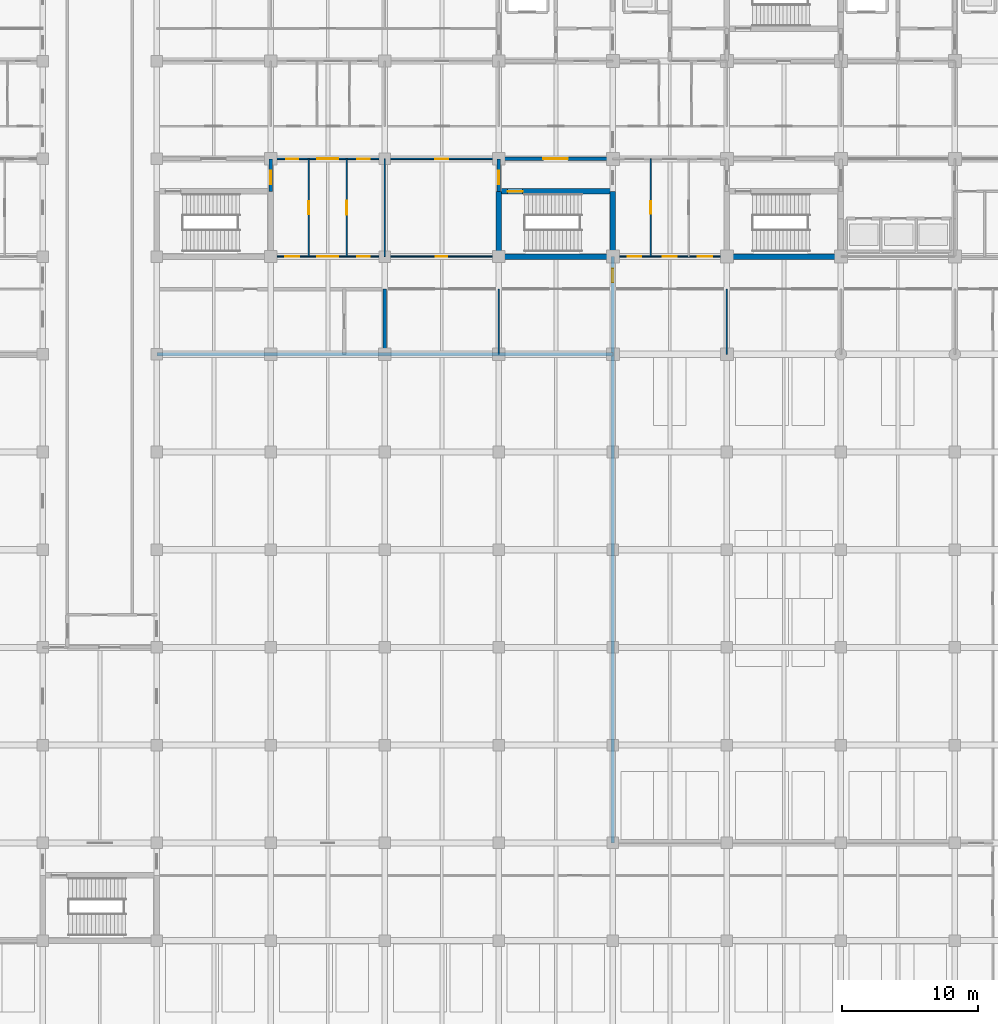
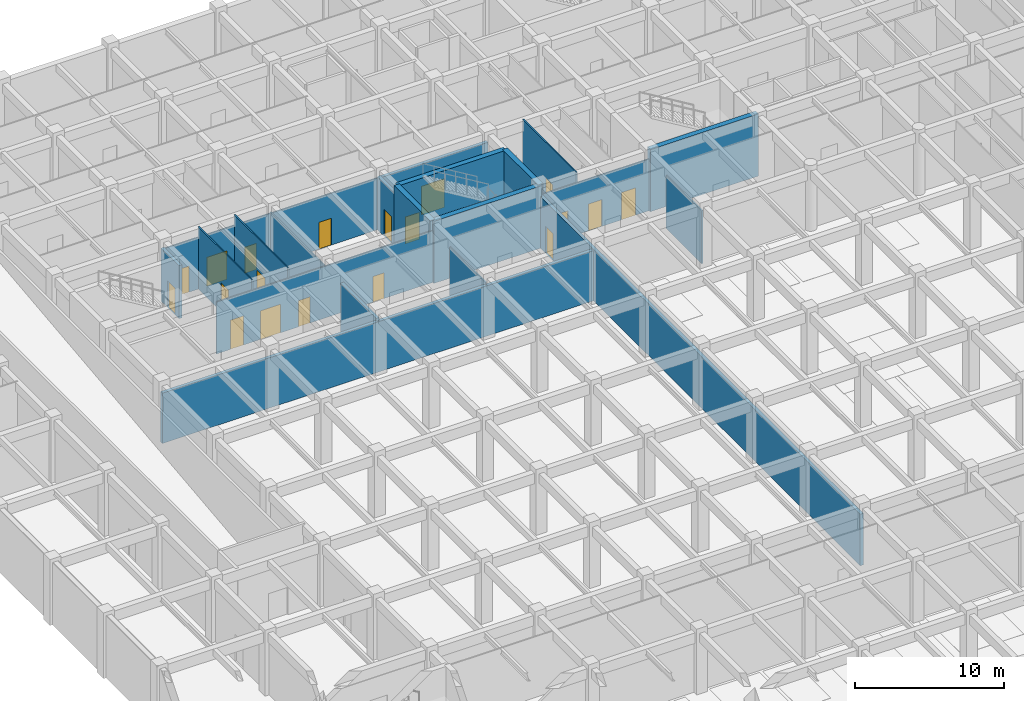
# One storey, part 20 of 48: 20 walls, 19 doors, 19 openings.
"""IFC4 building model written with IfcOpenShell, lengths in metres."""

from ifc_helpers import new_model, si_unit, direction, frame, frame_2d, origin, place, context, subcontext, project, spatial, rectangle, extrude, material, layer, layer_set, type_object, element, fill, save


model = new_model("IFC4")

# Units and contexts
model_context = context("Model", 3, precision=1e-05, world=origin(), true_north=direction((0.0, 1.0)))
body_context = subcontext(model_context, "Body", "Model", "MODEL_VIEW")
ifc_project = project(units=[si_unit("LENGTHUNIT", "METRE"), si_unit("AREAUNIT", "SQUARE_METRE"), si_unit("VOLUMEUNIT", "CUBIC_METRE"), si_unit("PLANEANGLEUNIT", "RADIAN"), si_unit("MASSUNIT", "GRAM", prefix="KILO")], contexts=[model_context])

# Site, building, storey
site_placement = place(None, origin())
site = spatial("IfcSite", under=ifc_project, at=site_placement, CompositionType="ELEMENT")
building_placement = place(site_placement, origin())
building = spatial("IfcBuilding", under=site, at=building_placement, Name="Chengyuan Square Courthouse", CompositionType="ELEMENT")
storey_placement = place(building_placement, frame((0.0, 0.0, -5.39990234375)))
storey = spatial("IfcBuildingStorey", under=building, at=storey_placement, Name="B01", CompositionType="ELEMENT", Elevation=-5.39990234375)

# Wall
ifc_material_1 = material(Name="Concrete C40", Category="concrete")
ifc_layer_1 = layer(ifc_material_1, 0.25)
ifc_layer_set_1 = layer_set([ifc_layer_1], Name="Concrete C40")
wall_type_1 = type_object("IfcWallType", Name="WL-FW1", PredefinedType="STANDARD", material=ifc_layer_set_1)
wall_1_placement = place(storey_placement, frame((16.800048828125, 79.199951171875, 0.0), z_axis=(0.0, 0.0, 1.0), x_axis=(1.0, 0.0, 0.0)))
element("IfcWall", 1, at=wall_1_placement, inside=storey, type_object=wall_type_1, Name="Interior Wall WL-B01-I298", PredefinedType="STANDARD", context=body_context, shape_type="SweptSolid", body=[
    extrude(rectangle(XDim=33.599853515625, YDim=0.25, at=frame_2d((16.7998046875, 0.0))), origin(), (0.0, 0.0, 1.0), 4.1298828125),
])

# Wall, opening, door
wall_2_placement = place(storey_placement, frame((42.0, 93.60009765625, 0.0), z_axis=(0.0, 0.0, 1.0), x_axis=(1.0, 0.0, 0.0)))
wall_2 = element("IfcWall", 2, at=wall_2_placement, inside=storey, type_object=wall_type_1, Name="Interior Wall WL-B01-I339", PredefinedType="STANDARD", context=body_context, shape_type="SweptSolid", body=[
    extrude(rectangle(XDim=8.39990234375, YDim=0.25, at=frame_2d((4.199951171875, 0.0))), origin(), (0.0, 0.0, 1.0), 4.25),
])
opening_1_placement = place(wall_2_placement, frame((3.28759765625, 0.0, 0.0)))
opening_1 = element("IfcOpeningElement", 3, at=opening_1_placement, cuts=wall_2, Name="Opening DR-357", PredefinedType="OPENING", context=body_context, shape_type="SweptSolid", body=[
    extrude(rectangle(XDim=1.800048828125, YDim=2.35009765625, at=frame_2d((0.89990234375, 1.175048828125))), frame((0.0, 0.136962890625, 0.0), z_axis=(0.0, -1.0, 0.0), x_axis=(1.0, 0.0, 0.0)), (0.0, 0.0, 1.0), 0.27392578125),
])
ifc_material_2 = material(Name="Steel Q235B Glazed Fire Door", Category="steel")
door_type_1 = type_object("IfcDoorType", Name="DT-18", OperationType="DOUBLE_DOOR_SINGLE_SWING", PredefinedType="DOOR", material=ifc_material_2)
door_1_placement = place(opening_1_placement, frame((1.800048828125, 0.0, 0.0), z_axis=(0.0, 0.0, 1.0), x_axis=(-1.0, 0.0, 0.0)))
door_1 = element("IfcDoor", 4, at=door_1_placement, inside=storey, type_object=door_type_1, Name="Interior Door DR-357", OperationType="DOUBLE_DOOR_SINGLE_SWING", OverallHeight=2.35009765625, OverallWidth=1.800048828125, PredefinedType="DOOR", context=body_context, shape_type="SweptSolid", body=[
    extrude(rectangle(XDim=1.800048828125, YDim=2.35009765625, at=frame_2d((0.89990234375, 1.175048828125))), frame((0.0, 0.02490234375, 0.0), z_axis=(0.0, -1.0, 0.0), x_axis=(1.0, 0.0, 0.0)), (0.0, 0.0, 1.0), 0.050048828125),
])
fill(opening_1, door_1)

wall_3_placement = place(storey_placement, frame((25.199951171875, 91.199951171875, 0.0), z_axis=(0.0, 0.0, 1.0), x_axis=(0.0, 1.0, 0.0)))
wall_3 = element("IfcWall", 5, at=wall_3_placement, inside=storey, type_object=wall_type_1, Name="Interior Wall WL-B01-I446", PredefinedType="STANDARD", context=body_context, shape_type="SweptSolid", body=[
    extrude(rectangle(XDim=2.400146484375, YDim=0.25, at=frame_2d((1.2001953125, 0.0))), origin(), (0.0, 0.0, 1.0), 4.349853515625),
])
opening_2_placement = place(wall_3_placement, frame((0.514892578125, 0.0, 0.0)))
opening_2 = element("IfcOpeningElement", 6, at=opening_2_placement, cuts=wall_3, Name="Opening DR-370", PredefinedType="OPENING", context=body_context, shape_type="SweptSolid", body=[
    extrude(rectangle(XDim=1.0, YDim=2.199951171875, at=frame_2d((0.5, 1.10009765625))), frame((0.0, 0.136962890625, 0.0), z_axis=(0.0, -1.0, 0.0), x_axis=(1.0, 0.0, 0.0)), (0.0, 0.0, 1.0), 0.27392578125),
])
ifc_material_3 = material(Name="Steel Q235B Fire Door", Category="steel")
door_type_2 = type_object("IfcDoorType", Name="DT-11", OperationType="NOTDEFINED", PredefinedType="DOOR", material=ifc_material_3)
door_2_placement = place(opening_2_placement, origin())
door_2 = element("IfcDoor", 7, at=door_2_placement, inside=storey, type_object=door_type_2, Name="Interior Door DR-370", OperationType="SINGLE_SWING_RIGHT", OverallHeight=2.199951171875, OverallWidth=1.0, PredefinedType="DOOR", context=body_context, shape_type="SweptSolid", body=[
    extrude(rectangle(XDim=1.0, YDim=2.199951171875, at=frame_2d((0.5, 1.10009765625))), frame((0.0, 0.02490234375, 0.0), z_axis=(0.0, -1.0, 0.0), x_axis=(1.0, 0.0, 0.0)), (0.0, 0.0, 1.0), 0.050048828125),
])
fill(opening_2, door_2)

# Wall
wall_4_placement = place(storey_placement, frame((33.60009765625, 79.199951171875, 0.0), z_axis=(0.0, 0.0, 1.0), x_axis=(0.0, 1.0, 0.0)))
element("IfcWall", 8, at=wall_4_placement, inside=storey, type_object=wall_type_1, Name="Interior Wall WL-B01-I455", PredefinedType="STANDARD", context=body_context, shape_type="SweptSolid", body=[
    extrude(rectangle(XDim=4.800048828125, YDim=0.25, at=frame_2d((2.39990234375, 0.0))), origin(), (0.0, 0.0, 1.0), 4.349853515625),
])

# Wall, opening, door
wall_5_placement = place(storey_placement, frame((42.0, 91.199951171875, 0.0), z_axis=(0.0, 0.0, 1.0), x_axis=(0.0, 1.0, 0.0)))
wall_5 = element("IfcWall", 9, at=wall_5_placement, inside=storey, type_object=wall_type_1, Name="Interior Wall WL-B01-I462", PredefinedType="STANDARD", context=body_context, shape_type="SweptSolid", body=[
    extrude(rectangle(XDim=2.400146484375, YDim=0.25, at=frame_2d((1.2001953125, 0.0))), origin(), (0.0, 0.0, 1.0), 4.349853515625),
])
opening_3_placement = place(wall_5_placement, frame((0.514892578125, 0.0, 0.0)))
opening_3 = element("IfcOpeningElement", 10, at=opening_3_placement, cuts=wall_5, Name="Opening DR-358", PredefinedType="OPENING", context=body_context, shape_type="SweptSolid", body=[
    extrude(rectangle(XDim=1.0, YDim=2.199951171875, at=frame_2d((0.5, 1.10009765625))), frame((0.0, 0.136962890625, 0.0), z_axis=(0.0, -1.0, 0.0), x_axis=(1.0, 0.0, 0.0)), (0.0, 0.0, 1.0), 0.27392578125),
])
door_3_placement = place(opening_3_placement, origin())
door_3 = element("IfcDoor", 11, at=door_3_placement, inside=storey, type_object=door_type_2, Name="Interior Door DR-358", OperationType="SINGLE_SWING_RIGHT", OverallHeight=2.199951171875, OverallWidth=1.0, PredefinedType="DOOR", context=body_context, shape_type="SweptSolid", body=[
    extrude(rectangle(XDim=1.0, YDim=2.199951171875, at=frame_2d((0.5, 1.10009765625))), frame((0.0, 0.02490234375, 0.0), z_axis=(0.0, -1.0, 0.0), x_axis=(1.0, 0.0, 0.0)), (0.0, 0.0, 1.0), 0.050048828125),
])
fill(opening_3, door_3)

wall_6_placement = place(storey_placement, frame((50.39990234375, 43.199951171875, 0.0), z_axis=(0.0, 0.0, 1.0), x_axis=(0.0, 1.0, 0.0)))
wall_6 = element("IfcWall", 12, at=wall_6_placement, inside=storey, type_object=wall_type_1, Name="Interior Wall WL-B01-I471", PredefinedType="STANDARD", context=body_context, shape_type="SweptSolid", body=[
    extrude(rectangle(XDim=43.199951171875, YDim=0.25, at=frame_2d((21.60009765625, 0.0))), origin(), (0.0, 0.0, 1.0), 4.22998046875),
])
opening_4_placement = place(wall_6_placement, frame((41.302490234375, 0.0, 0.0)))
opening_4 = element("IfcOpeningElement", 13, at=opening_4_placement, cuts=wall_6, Name="Opening DR-616", PredefinedType="OPENING", context=body_context, shape_type="SweptSolid", body=[
    extrude(rectangle(XDim=1.0, YDim=2.199951171875, at=frame_2d((0.5, 1.10009765625))), frame((0.0, 0.136962890625, 0.0), z_axis=(0.0, -1.0, 0.0), x_axis=(1.0, 0.0, 0.0)), (0.0, 0.0, 1.0), 0.27392578125),
])
door_4_placement = place(opening_4_placement, origin())
door_4 = element("IfcDoor", 14, at=door_4_placement, inside=storey, type_object=door_type_2, Name="Interior Door DR-616", OperationType="SINGLE_SWING_LEFT", OverallHeight=2.199951171875, OverallWidth=1.0, PredefinedType="DOOR", context=body_context, shape_type="SweptSolid", body=[
    extrude(rectangle(XDim=1.0, YDim=2.199951171875, at=frame_2d((0.5, 1.10009765625))), frame((0.0, 0.02490234375, 0.0), z_axis=(0.0, -1.0, 0.0), x_axis=(1.0, 0.0, 0.0)), (0.0, 0.0, 1.0), 0.050048828125),
])
fill(opening_4, door_4)

# Wall, openings, doors
ifc_material_4 = material(Name="Gypsum Plasterboard Acoustic Stud Partition")
ifc_layer_2 = layer(ifc_material_4, 0.10009765625)
ifc_layer_set_2 = layer_set([ifc_layer_2], Name="Gypsum Plasterboard Acoustic Stud Partition")
wall_type_2 = type_object("IfcWallType", Name="WL-PT6", PredefinedType="STANDARD", material=ifc_layer_set_2)
wall_7_placement = place(storey_placement, frame((25.199951171875, 86.39990234375, 0.0), z_axis=(0.0, 0.0, 1.0), x_axis=(1.0, 0.0, 0.0)))
wall_7 = element("IfcWall", 15, at=wall_7_placement, inside=storey, type_object=wall_type_2, Name="Interior Wall WL-B01-I307", PredefinedType="STANDARD", context=body_context, shape_type="SweptSolid", body=[
    extrude(rectangle(XDim=16.800048828125, YDim=0.10009765625, at=frame_2d((8.39990234375, 0.0))), origin(), (0.0, 0.0, 1.0), 4.25),
])
opening_5_placement = place(wall_7_placement, frame((1.074951171875, 0.0, 0.0)))
opening_5 = element("IfcOpeningElement", 16, at=opening_5_placement, cuts=wall_7, Name="Opening DR-558", PredefinedType="OPENING", context=body_context, shape_type="SweptSolid", body=[
    extrude(rectangle(XDim=1.02001953125, YDim=2.39990234375, at=frame_2d((0.510009765625, 1.199951171875))), frame((0.0, 0.06201171875, 0.0), z_axis=(0.0, -1.0, 0.0), x_axis=(1.0, 0.0, 0.0)), (0.0, 0.0, 1.0), 0.1240234375),
])
opening_6_placement = place(wall_7_placement, frame((3.425048828125, 0.0, 0.0)))
opening_6 = element("IfcOpeningElement", 17, at=opening_6_placement, cuts=wall_7, Name="Opening DR-560", PredefinedType="OPENING", context=body_context, shape_type="SweptSolid", body=[
    extrude(rectangle(XDim=1.550048828125, YDim=2.35009765625, at=frame_2d((0.77490234375, 1.175048828125))), frame((0.0, 0.06201171875, 0.0), z_axis=(0.0, -1.0, 0.0), x_axis=(1.0, 0.0, 0.0)), (0.0, 0.0, 1.0), 0.1240234375),
])
opening_7_placement = place(wall_7_placement, frame((6.37744140625, 0.0, 0.0)))
opening_7 = element("IfcOpeningElement", 18, at=opening_7_placement, cuts=wall_7, Name="Opening DR-561", PredefinedType="OPENING", context=body_context, shape_type="SweptSolid", body=[
    extrude(rectangle(XDim=0.89990234375, YDim=2.14990234375, at=frame_2d((0.449951171875, 1.074951171875))), frame((0.0, 0.06201171875, 0.0), z_axis=(0.0, -1.0, 0.0), x_axis=(1.0, 0.0, 0.0)), (0.0, 0.0, 1.0), 0.1240234375),
])
opening_8_placement = place(wall_7_placement, frame((12.157470703125, 0.0, 0.0)))
opening_8 = element("IfcOpeningElement", 19, at=opening_8_placement, cuts=wall_7, Name="Opening DR-562", PredefinedType="OPENING", context=body_context, shape_type="SweptSolid", body=[
    extrude(rectangle(XDim=0.860107421875, YDim=2.10009765625, at=frame_2d((0.43017578125, 1.050048828125))), frame((0.0, 0.06201171875, 0.0), z_axis=(0.0, -1.0, 0.0), x_axis=(1.0, 0.0, 0.0)), (0.0, 0.0, 1.0), 0.1240234375),
])
ifc_material_5 = material(Name="Acoustic Larch Veneer Double Door")
door_type_3 = type_object("IfcDoorType", Name="DT-23", OperationType="DOUBLE_DOOR_SINGLE_SWING", PredefinedType="DOOR", material=ifc_material_5)
door_5_placement = place(opening_6_placement, frame((1.550048828125, 0.0, 0.0), z_axis=(0.0, 0.0, 1.0), x_axis=(-1.0, 0.0, 0.0)))
door_5 = element("IfcDoor", 20, at=door_5_placement, inside=storey, type_object=door_type_3, Name="Interior Door DR-560", OperationType="DOUBLE_DOOR_SINGLE_SWING", OverallHeight=2.35009765625, OverallWidth=1.550048828125, PredefinedType="DOOR", context=body_context, shape_type="SweptSolid", body=[
    extrude(rectangle(XDim=1.550048828125, YDim=2.35009765625, at=frame_2d((0.77490234375, 1.175048828125))), frame((0.0, 0.02490234375, 0.0), z_axis=(0.0, -1.0, 0.0), x_axis=(1.0, 0.0, 0.0)), (0.0, 0.0, 1.0), 0.050048828125),
])
fill(opening_6, door_5)
ifc_material_6 = material(Name="Acoustic Solid-Core Timber Door", Category="wood")
door_type_4 = type_object("IfcDoorType", Name="DT-27", OperationType="NOTDEFINED", PredefinedType="DOOR", material=ifc_material_6)
door_6_placement = place(opening_7_placement, origin())
door_6 = element("IfcDoor", 21, at=door_6_placement, inside=storey, type_object=door_type_4, Name="Interior Door DR-561", OperationType="SINGLE_SWING_RIGHT", OverallHeight=2.14990234375, OverallWidth=0.89990234375, PredefinedType="DOOR", context=body_context, shape_type="SweptSolid", body=[
    extrude(rectangle(XDim=0.89990234375, YDim=2.14990234375, at=frame_2d((0.449951171875, 1.074951171875))), frame((0.0, 0.02490234375, 0.0), z_axis=(0.0, -1.0, 0.0), x_axis=(1.0, 0.0, 0.0)), (0.0, 0.0, 1.0), 0.050048828125),
])
fill(opening_7, door_6)
door_type_5 = type_object("IfcDoorType", Name="DT-28", OperationType="NOTDEFINED", PredefinedType="DOOR", material=ifc_material_6)
door_7_placement = place(opening_8_placement, origin())
door_7 = element("IfcDoor", 22, at=door_7_placement, inside=storey, type_object=door_type_5, Name="Interior Door DR-562", OperationType="SINGLE_SWING_LEFT", OverallHeight=2.10009765625, OverallWidth=0.860107421875, PredefinedType="DOOR", context=body_context, shape_type="SweptSolid", body=[
    extrude(rectangle(XDim=0.860107421875, YDim=2.10009765625, at=frame_2d((0.43017578125, 1.050048828125))), frame((0.0, 0.02490234375, 0.0), z_axis=(0.0, -1.0, 0.0), x_axis=(1.0, 0.0, 0.0)), (0.0, 0.0, 1.0), 0.050048828125),
])
fill(opening_8, door_7)
door_type_6 = type_object("IfcDoorType", Name="DT-41", OperationType="NOTDEFINED", PredefinedType="DOOR", material=ifc_material_6)
door_8_placement = place(opening_5_placement, origin())
door_8 = element("IfcDoor", 23, at=door_8_placement, inside=storey, type_object=door_type_6, Name="Interior Door DR-558", OperationType="SINGLE_SWING_RIGHT", OverallHeight=2.39990234375, OverallWidth=1.02001953125, PredefinedType="DOOR", context=body_context, shape_type="SweptSolid", body=[
    extrude(rectangle(XDim=1.02001953125, YDim=2.39990234375, at=frame_2d((0.510009765625, 1.199951171875))), frame((0.0, 0.02490234375, 0.0), z_axis=(0.0, -1.0, 0.0), x_axis=(1.0, 0.0, 0.0)), (0.0, 0.0, 1.0), 0.050048828125),
])
fill(opening_5, door_8)

wall_8_placement = place(storey_placement, frame((50.39990234375, 86.39990234375, 0.0), z_axis=(0.0, 0.0, 1.0), x_axis=(1.0, 0.0, 0.0)))
wall_8 = element("IfcWall", 24, at=wall_8_placement, inside=storey, type_object=wall_type_2, Name="Interior Wall WL-B01-I309", PredefinedType="STANDARD", context=body_context, shape_type="SweptSolid", body=[
    extrude(rectangle(XDim=8.400146484375, YDim=0.10009765625, at=frame_2d((4.2001953125, 0.0))), origin(), (0.0, 0.0, 1.0), 4.25),
])
opening_9_placement = place(wall_8_placement, frame((1.117431640625, 0.0, 0.0)))
opening_9 = element("IfcOpeningElement", 25, at=opening_9_placement, cuts=wall_8, Name="Opening DR-564", PredefinedType="OPENING", context=body_context, shape_type="SweptSolid", body=[
    extrude(rectangle(XDim=0.9599609375, YDim=2.199951171875, at=frame_2d((0.47998046875, 1.10009765625))), frame((0.0, 0.06201171875, 0.0), z_axis=(0.0, -1.0, 0.0), x_axis=(1.0, 0.0, 0.0)), (0.0, 0.0, 1.0), 0.1240234375),
])
opening_10_placement = place(wall_8_placement, frame((3.679931640625, 0.0, 0.0)))
opening_10 = element("IfcOpeningElement", 26, at=opening_10_placement, cuts=wall_8, Name="Opening DR-566", PredefinedType="OPENING", context=body_context, shape_type="SweptSolid", body=[
    extrude(rectangle(XDim=1.0400390625, YDim=2.199951171875, at=frame_2d((0.52001953125, 1.10009765625))), frame((0.0, 0.06201171875, 0.0), z_axis=(0.0, -1.0, 0.0), x_axis=(1.0, 0.0, 0.0)), (0.0, 0.0, 1.0), 0.1240234375),
])
opening_11_placement = place(wall_8_placement, frame((6.262451171875, 0.0, 0.0)))
opening_11 = element("IfcOpeningElement", 27, at=opening_11_placement, cuts=wall_8, Name="Opening DR-567", PredefinedType="OPENING", context=body_context, shape_type="SweptSolid", body=[
    extrude(rectangle(XDim=1.080078125, YDim=2.25, at=frame_2d((0.5400390625, 1.125))), frame((0.0, 0.06201171875, 0.0), z_axis=(0.0, -1.0, 0.0), x_axis=(1.0, 0.0, 0.0)), (0.0, 0.0, 1.0), 0.1240234375),
])
door_type_7 = type_object("IfcDoorType", Name="DT-30", OperationType="NOTDEFINED", PredefinedType="DOOR", material=ifc_material_6)
door_9_placement = place(opening_9_placement, origin())
door_9 = element("IfcDoor", 28, at=door_9_placement, inside=storey, type_object=door_type_7, Name="Interior Door DR-564", OperationType="SINGLE_SWING_LEFT", OverallHeight=2.199951171875, OverallWidth=0.9599609375, PredefinedType="DOOR", context=body_context, shape_type="SweptSolid", body=[
    extrude(rectangle(XDim=0.9599609375, YDim=2.199951171875, at=frame_2d((0.47998046875, 1.10009765625))), frame((0.0, 0.02490234375, 0.0), z_axis=(0.0, -1.0, 0.0), x_axis=(1.0, 0.0, 0.0)), (0.0, 0.0, 1.0), 0.050048828125),
])
fill(opening_9, door_9)
door_type_8 = type_object("IfcDoorType", Name="DT-32", OperationType="NOTDEFINED", PredefinedType="DOOR", material=ifc_material_6)
door_10_placement = place(opening_10_placement, origin())
door_10 = element("IfcDoor", 29, at=door_10_placement, inside=storey, type_object=door_type_8, Name="Interior Door DR-566", OperationType="SINGLE_SWING_LEFT", OverallHeight=2.199951171875, OverallWidth=1.0400390625, PredefinedType="DOOR", context=body_context, shape_type="SweptSolid", body=[
    extrude(rectangle(XDim=1.0400390625, YDim=2.199951171875, at=frame_2d((0.52001953125, 1.10009765625))), frame((0.0, 0.02490234375, 0.0), z_axis=(0.0, -1.0, 0.0), x_axis=(1.0, 0.0, 0.0)), (0.0, 0.0, 1.0), 0.050048828125),
])
fill(opening_10, door_10)
door_type_9 = type_object("IfcDoorType", Name="DT-33", OperationType="NOTDEFINED", PredefinedType="DOOR", material=ifc_material_6)
door_11_placement = place(opening_11_placement, origin())
door_11 = element("IfcDoor", 30, at=door_11_placement, inside=storey, type_object=door_type_9, Name="Interior Door DR-567", OperationType="SINGLE_SWING_RIGHT", OverallHeight=2.25, OverallWidth=1.080078125, PredefinedType="DOOR", context=body_context, shape_type="SweptSolid", body=[
    extrude(rectangle(XDim=1.080078125, YDim=2.25, at=frame_2d((0.5400390625, 1.125))), frame((0.0, 0.02490234375, 0.0), z_axis=(0.0, -1.0, 0.0), x_axis=(1.0, 0.0, 0.0)), (0.0, 0.0, 1.0), 0.050048828125),
])
fill(opening_11, door_11)

wall_9_placement = place(storey_placement, frame((25.199951171875, 93.60009765625, 0.0), z_axis=(0.0, 0.0, 1.0), x_axis=(1.0, 0.0, 0.0)))
wall_9 = element("IfcWall", 31, at=wall_9_placement, inside=storey, type_object=wall_type_2, Name="Interior Wall WL-B01-I338", PredefinedType="STANDARD", context=body_context, shape_type="SweptSolid", body=[
    extrude(rectangle(XDim=16.800048828125, YDim=0.10009765625, at=frame_2d((8.39990234375, 0.0))), origin(), (0.0, 0.0, 1.0), 4.25),
])
opening_12_placement = place(wall_9_placement, frame((1.135009765625, 0.0, 0.0)))
opening_12 = element("IfcOpeningElement", 32, at=opening_12_placement, cuts=wall_9, Name="Opening DR-493", PredefinedType="OPENING", context=body_context, shape_type="SweptSolid", body=[
    extrude(rectangle(XDim=0.89990234375, YDim=2.14990234375, at=frame_2d((0.449951171875, 1.074951171875))), frame((0.0, 0.06201171875, 0.0), z_axis=(0.0, -1.0, 0.0), x_axis=(1.0, 0.0, 0.0)), (0.0, 0.0, 1.0), 0.1240234375),
])
opening_13_placement = place(wall_9_placement, frame((3.425048828125, 0.0, 0.0)))
opening_13 = element("IfcOpeningElement", 33, at=opening_13_placement, cuts=wall_9, Name="Opening DR-494", PredefinedType="OPENING", context=body_context, shape_type="SweptSolid", body=[
    extrude(rectangle(XDim=1.550048828125, YDim=2.35009765625, at=frame_2d((0.77490234375, 1.175048828125))), frame((0.0, 0.06201171875, 0.0), z_axis=(0.0, -1.0, 0.0), x_axis=(1.0, 0.0, 0.0)), (0.0, 0.0, 1.0), 0.1240234375),
])
opening_14_placement = place(wall_9_placement, frame((6.367431640625, 0.0, 0.0)))
opening_14 = element("IfcOpeningElement", 34, at=opening_14_placement, cuts=wall_9, Name="Opening DR-495", PredefinedType="OPENING", context=body_context, shape_type="SweptSolid", body=[
    extrude(rectangle(XDim=0.919921875, YDim=2.14990234375, at=frame_2d((0.4599609375, 1.074951171875))), frame((0.0, 0.06201171875, 0.0), z_axis=(0.0, -1.0, 0.0), x_axis=(1.0, 0.0, 0.0)), (0.0, 0.0, 1.0), 0.1240234375),
])
opening_15_placement = place(wall_9_placement, frame((12.107421875, 0.0, 0.0)))
opening_15 = element("IfcOpeningElement", 35, at=opening_15_placement, cuts=wall_9, Name="Opening DR-496", PredefinedType="OPENING", context=body_context, shape_type="SweptSolid", body=[
    extrude(rectangle(XDim=0.9599609375, YDim=2.199951171875, at=frame_2d((0.47998046875, 1.10009765625))), frame((0.0, 0.06201171875, 0.0), z_axis=(0.0, -1.0, 0.0), x_axis=(1.0, 0.0, 0.0)), (0.0, 0.0, 1.0), 0.1240234375),
])
door_12_placement = place(opening_13_placement, frame((1.550048828125, 0.0, 0.0), z_axis=(0.0, 0.0, 1.0), x_axis=(-1.0, 0.0, 0.0)))
door_12 = element("IfcDoor", 36, at=door_12_placement, inside=storey, type_object=door_type_3, Name="Interior Door DR-494", OperationType="DOUBLE_DOOR_SINGLE_SWING", OverallHeight=2.35009765625, OverallWidth=1.550048828125, PredefinedType="DOOR", context=body_context, shape_type="SweptSolid", body=[
    extrude(rectangle(XDim=1.550048828125, YDim=2.35009765625, at=frame_2d((0.77490234375, 1.175048828125))), frame((0.0, 0.02490234375, 0.0), z_axis=(0.0, -1.0, 0.0), x_axis=(1.0, 0.0, 0.0)), (0.0, 0.0, 1.0), 0.050048828125),
])
fill(opening_13, door_12)
door_13_placement = place(opening_12_placement, origin())
door_13 = element("IfcDoor", 37, at=door_13_placement, inside=storey, type_object=door_type_4, Name="Interior Door DR-493", OperationType="SINGLE_SWING_RIGHT", OverallHeight=2.14990234375, OverallWidth=0.89990234375, PredefinedType="DOOR", context=body_context, shape_type="SweptSolid", body=[
    extrude(rectangle(XDim=0.89990234375, YDim=2.14990234375, at=frame_2d((0.449951171875, 1.074951171875))), frame((0.0, 0.02490234375, 0.0), z_axis=(0.0, -1.0, 0.0), x_axis=(1.0, 0.0, 0.0)), (0.0, 0.0, 1.0), 0.050048828125),
])
fill(opening_12, door_13)
door_type_10 = type_object("IfcDoorType", Name="DT-29", OperationType="NOTDEFINED", PredefinedType="DOOR", material=ifc_material_6)
door_14_placement = place(opening_14_placement, origin())
door_14 = element("IfcDoor", 38, at=door_14_placement, inside=storey, type_object=door_type_10, Name="Interior Door DR-495", OperationType="SINGLE_SWING_LEFT", OverallHeight=2.14990234375, OverallWidth=0.919921875, PredefinedType="DOOR", context=body_context, shape_type="SweptSolid", body=[
    extrude(rectangle(XDim=0.919921875, YDim=2.14990234375, at=frame_2d((0.4599609375, 1.074951171875))), frame((0.0, 0.02490234375, 0.0), z_axis=(0.0, -1.0, 0.0), x_axis=(1.0, 0.0, 0.0)), (0.0, 0.0, 1.0), 0.050048828125),
])
fill(opening_14, door_14)
door_15_placement = place(opening_15_placement, origin())
door_15 = element("IfcDoor", 39, at=door_15_placement, inside=storey, type_object=door_type_7, Name="Interior Door DR-496", OperationType="SINGLE_SWING_RIGHT", OverallHeight=2.199951171875, OverallWidth=0.9599609375, PredefinedType="DOOR", context=body_context, shape_type="SweptSolid", body=[
    extrude(rectangle(XDim=0.9599609375, YDim=2.199951171875, at=frame_2d((0.47998046875, 1.10009765625))), frame((0.0, 0.02490234375, 0.0), z_axis=(0.0, -1.0, 0.0), x_axis=(1.0, 0.0, 0.0)), (0.0, 0.0, 1.0), 0.050048828125),
])
fill(opening_15, door_15)

# Wall, opening, door
wall_10_placement = place(storey_placement, frame((28.0, 86.39990234375, 0.0), z_axis=(0.0, 0.0, 1.0), x_axis=(0.0, 1.0, 0.0)))
wall_10 = element("IfcWall", 40, at=wall_10_placement, inside=storey, type_object=wall_type_2, Name="Interior Wall WL-B01-I450", PredefinedType="STANDARD", context=body_context, shape_type="SweptSolid", body=[
    extrude(rectangle(XDim=7.2001953125, YDim=0.10009765625, at=frame_2d((3.60009765625, 0.0))), origin(), (0.0, 0.0, 1.0), 5.099853515625),
])
opening_16_placement = place(wall_10_placement, frame((3.110107421875, 0.0, 0.0)))
opening_16 = element("IfcOpeningElement", 41, at=opening_16_placement, cuts=wall_10, Name="Opening DR-557", PredefinedType="OPENING", context=body_context, shape_type="SweptSolid", body=[
    extrude(rectangle(XDim=0.97998046875, YDim=2.35009765625, at=frame_2d((0.489990234375, 1.175048828125))), frame((0.0, 0.06201171875, 0.0), z_axis=(0.0, -1.0, 0.0), x_axis=(1.0, 0.0, 0.0)), (0.0, 0.0, 1.0), 0.1240234375),
])
door_type_11 = type_object("IfcDoorType", Name="DT-40", OperationType="NOTDEFINED", PredefinedType="DOOR", material=ifc_material_6)
door_16_placement = place(opening_16_placement, origin())
door_16 = element("IfcDoor", 42, at=door_16_placement, inside=storey, type_object=door_type_11, Name="Interior Door DR-557", OperationType="SINGLE_SWING_LEFT", OverallHeight=2.35009765625, OverallWidth=0.97998046875, PredefinedType="DOOR", context=body_context, shape_type="SweptSolid", body=[
    extrude(rectangle(XDim=0.97998046875, YDim=2.35009765625, at=frame_2d((0.489990234375, 1.175048828125))), frame((0.0, 0.02490234375, 0.0), z_axis=(0.0, -1.0, 0.0), x_axis=(1.0, 0.0, 0.0)), (0.0, 0.0, 1.0), 0.050048828125),
])
fill(opening_16, door_16)

wall_11_placement = place(storey_placement, frame((30.800048828125, 86.39990234375, 0.0), z_axis=(0.0, 0.0, 1.0), x_axis=(0.0, 1.0, 0.0)))
wall_11 = element("IfcWall", 43, at=wall_11_placement, inside=storey, type_object=wall_type_2, Name="Interior Wall WL-B01-I453", PredefinedType="STANDARD", context=body_context, shape_type="SweptSolid", body=[
    extrude(rectangle(XDim=7.2001953125, YDim=0.10009765625, at=frame_2d((3.60009765625, 0.0))), origin(), (0.0, 0.0, 1.0), 5.099853515625),
])
opening_17_placement = place(wall_11_placement, frame((3.070068359375, 0.0, 0.0)))
opening_17 = element("IfcOpeningElement", 44, at=opening_17_placement, cuts=wall_11, Name="Opening DR-559", PredefinedType="OPENING", context=body_context, shape_type="SweptSolid", body=[
    extrude(rectangle(XDim=1.06005859375, YDim=2.39990234375, at=frame_2d((0.530029296875, 1.199951171875))), frame((0.0, 0.06201171875, 0.0), z_axis=(0.0, -1.0, 0.0), x_axis=(1.0, 0.0, 0.0)), (0.0, 0.0, 1.0), 0.1240234375),
])
door_type_12 = type_object("IfcDoorType", Name="DT-42", OperationType="NOTDEFINED", PredefinedType="DOOR", material=ifc_material_6)
door_17_placement = place(opening_17_placement, origin())
door_17 = element("IfcDoor", 45, at=door_17_placement, inside=storey, type_object=door_type_12, Name="Interior Door DR-559", OperationType="SINGLE_SWING_LEFT", OverallHeight=2.39990234375, OverallWidth=1.06005859375, PredefinedType="DOOR", context=body_context, shape_type="SweptSolid", body=[
    extrude(rectangle(XDim=1.06005859375, YDim=2.39990234375, at=frame_2d((0.530029296875, 1.199951171875))), frame((0.0, 0.02490234375, 0.0), z_axis=(0.0, -1.0, 0.0), x_axis=(1.0, 0.0, 0.0)), (0.0, 0.0, 1.0), 0.050048828125),
])
fill(opening_17, door_17)

# Walls
wall_12_placement = place(storey_placement, frame((33.60009765625, 86.39990234375, 0.0), z_axis=(0.0, 0.0, 1.0), x_axis=(0.0, 1.0, 0.0)))
element("IfcWall", 46, at=wall_12_placement, inside=storey, type_object=wall_type_2, Name="Interior Wall WL-B01-I456", PredefinedType="STANDARD", context=body_context, shape_type="SweptSolid", body=[
    extrude(rectangle(XDim=7.2001953125, YDim=0.10009765625, at=frame_2d((3.60009765625, 0.0))), origin(), (0.0, 0.0, 1.0), 4.349853515625),
])
wall_13_placement = place(storey_placement, frame((42.0, 79.199951171875, 0.0), z_axis=(0.0, 0.0, 1.0), x_axis=(0.0, 1.0, 0.0)))
element("IfcWall", 47, at=wall_13_placement, inside=storey, type_object=wall_type_2, Name="Interior Wall WL-B01-I460", PredefinedType="STANDARD", context=body_context, shape_type="SweptSolid", body=[
    extrude(rectangle(XDim=4.800048828125, YDim=0.10009765625, at=frame_2d((2.39990234375, 0.0))), origin(), (0.0, 0.0, 1.0), 4.349853515625),
])

# Wall, opening, door
wall_14_placement = place(storey_placement, frame((53.199951171875, 86.39990234375, 0.0), z_axis=(0.0, 0.0, 1.0), x_axis=(0.0, 1.0, 0.0)))
wall_14 = element("IfcWall", 48, at=wall_14_placement, inside=storey, type_object=wall_type_2, Name="Interior Wall WL-B01-I477", PredefinedType="STANDARD", context=body_context, shape_type="SweptSolid", body=[
    extrude(rectangle(XDim=7.2001953125, YDim=0.10009765625, at=frame_2d((3.60009765625, 0.0))), origin(), (0.0, 0.0, 1.0), 5.099853515625),
])
opening_18_placement = place(wall_14_placement, frame((3.139892578125, 0.0, 0.0)))
opening_18 = element("IfcOpeningElement", 49, at=opening_18_placement, cuts=wall_14, Name="Opening DR-563", PredefinedType="OPENING", context=body_context, shape_type="SweptSolid", body=[
    extrude(rectangle(XDim=0.919921875, YDim=2.14990234375, at=frame_2d((0.4599609375, 1.074951171875))), frame((0.0, 0.06201171875, 0.0), z_axis=(0.0, -1.0, 0.0), x_axis=(1.0, 0.0, 0.0)), (0.0, 0.0, 1.0), 0.1240234375),
])
door_18_placement = place(opening_18_placement, origin())
door_18 = element("IfcDoor", 50, at=door_18_placement, inside=storey, type_object=door_type_10, Name="Interior Door DR-563", OperationType="SINGLE_SWING_RIGHT", OverallHeight=2.14990234375, OverallWidth=0.919921875, PredefinedType="DOOR", context=body_context, shape_type="SweptSolid", body=[
    extrude(rectangle(XDim=0.919921875, YDim=2.14990234375, at=frame_2d((0.4599609375, 1.074951171875))), frame((0.0, 0.02490234375, 0.0), z_axis=(0.0, -1.0, 0.0), x_axis=(1.0, 0.0, 0.0)), (0.0, 0.0, 1.0), 0.050048828125),
])
fill(opening_18, door_18)

# Walls
wall_15_placement = place(storey_placement, frame((58.800048828125, 79.199951171875, 0.0), z_axis=(0.0, 0.0, 1.0), x_axis=(0.0, 1.0, 0.0)))
element("IfcWall", 51, at=wall_15_placement, inside=storey, type_object=wall_type_2, Name="Interior Wall WL-B01-I484", PredefinedType="STANDARD", context=body_context, shape_type="SweptSolid", body=[
    extrude(rectangle(XDim=4.800048828125, YDim=0.10009765625, at=frame_2d((2.39990234375, 0.0))), origin(), (0.0, 0.0, 1.0), 4.349853515625),
])
ifc_material_7 = material(Name="Concrete C50", Category="concrete")
ifc_layer_3 = layer(ifc_material_7, 0.39990234375)
ifc_layer_set_3 = layer_set([ifc_layer_3], Name="Concrete C50")
wall_type_3 = type_object("IfcWallType", Name="WL-SW1", PredefinedType="SHEAR", material=ifc_layer_set_3)
for number, where, z_axis, x_axis, name in (
    (52, (42.0, 86.39990234375, 0.0), (0.0, 0.0, 1.0), (1.0, 0.0, 0.0), "Interior Wall WL-B01-I308"),
    (53, (58.800048828125, 86.39990234375, 0.0), (0.0, 0.0, 1.0), (1.0, 0.0, 0.0), "Interior Wall WL-B01-I310"),
):
    element("IfcWall", number, at=place(storey_placement, frame(where, z_axis=z_axis, x_axis=x_axis)), inside=storey, type_object=wall_type_3, Name=name, PredefinedType="SHEAR", context=body_context, shape_type="SweptSolid", body=[
        extrude(rectangle(XDim=8.39990234375, YDim=0.39990234375, at=frame_2d((4.199951171875, 0.0))), origin(), (0.0, 0.0, 1.0), 5.099853515625),
    ])

# Wall, opening, door
wall_16_placement = place(storey_placement, frame((42.0, 91.199951171875, 0.0), z_axis=(0.0, 0.0, 1.0), x_axis=(1.0, 0.0, 0.0)))
wall_16 = element("IfcWall", 54, at=wall_16_placement, inside=storey, type_object=wall_type_3, Name="Interior Wall WL-B01-I330", PredefinedType="SHEAR", context=body_context, shape_type="SweptSolid", body=[
    extrude(rectangle(XDim=8.39990234375, YDim=0.39990234375, at=frame_2d((4.199951171875, 0.0))), origin(), (0.0, 0.0, 1.0), 5.099853515625),
])
opening_19_placement = place(wall_16_placement, frame((0.64990234375, 0.0, 0.0)))
opening_19 = element("IfcOpeningElement", 55, at=opening_19_placement, cuts=wall_16, Name="Opening DR-339", PredefinedType="OPENING", context=body_context, shape_type="SweptSolid", body=[
    extrude(rectangle(XDim=1.10009765625, YDim=2.199951171875, at=frame_2d((0.550048828125, 1.10009765625))), frame((0.0, 0.2119140625, 0.0), z_axis=(0.0, -1.0, 0.0), x_axis=(1.0, 0.0, 0.0)), (0.0, 0.0, 1.0), 0.423828125),
])
door_type_13 = type_object("IfcDoorType", Name="DT-10", OperationType="NOTDEFINED", PredefinedType="DOOR", material=ifc_material_3)
door_19_placement = place(opening_19_placement, frame((1.10009765625, 0.0, 0.0), z_axis=(0.0, 0.0, 1.0), x_axis=(-1.0, 0.0, 0.0)))
door_19 = element("IfcDoor", 56, at=door_19_placement, inside=storey, type_object=door_type_13, Name="Smoke-Proof Stairwell Fire Door ST-5 DR-339", OperationType="SINGLE_SWING_RIGHT", OverallHeight=2.199951171875, OverallWidth=1.10009765625, PredefinedType="DOOR", context=body_context, shape_type="SweptSolid", body=[
    extrude(rectangle(XDim=1.10009765625, YDim=2.199951171875, at=frame_2d((0.550048828125, 1.10009765625))), frame((0.0, 0.02490234375, 0.0), z_axis=(0.0, -1.0, 0.0), x_axis=(1.0, 0.0, 0.0)), (0.0, 0.0, 1.0), 0.050048828125),
])
fill(opening_19, door_19)

# Walls
for number, where, z_axis, x_axis, name in (
    (57, (42.0, 86.39990234375, 0.0), (0.0, 0.0, 1.0), (0.0, 1.0, 0.0), "Interior Wall WL-B01-I461"),
    (58, (50.39990234375, 86.39990234375, 0.0), (0.0, 0.0, 1.0), (0.0, 1.0, 0.0), "Interior Wall WL-B01-I472"),
):
    element("IfcWall", number, at=place(storey_placement, frame(where, z_axis=z_axis, x_axis=x_axis)), inside=storey, type_object=wall_type_3, Name=name, PredefinedType="SHEAR", context=body_context, shape_type="SweptSolid", body=[
        extrude(rectangle(XDim=4.800048828125, YDim=0.39990234375, at=frame_2d((2.39990234375, 0.0))), origin(), (0.0, 0.0, 1.0), 5.099853515625),
    ])

save(model, "model.ifc")
